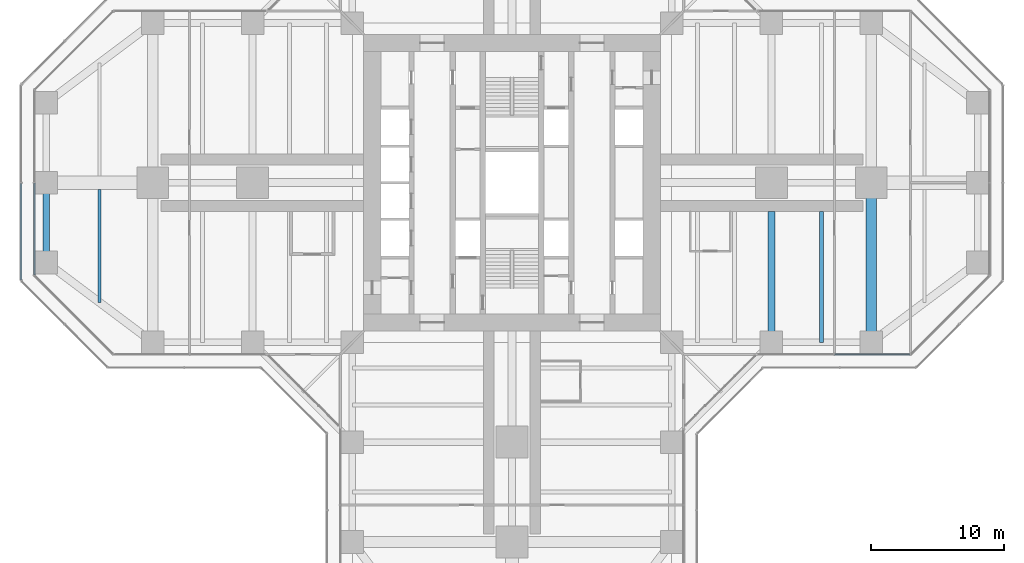
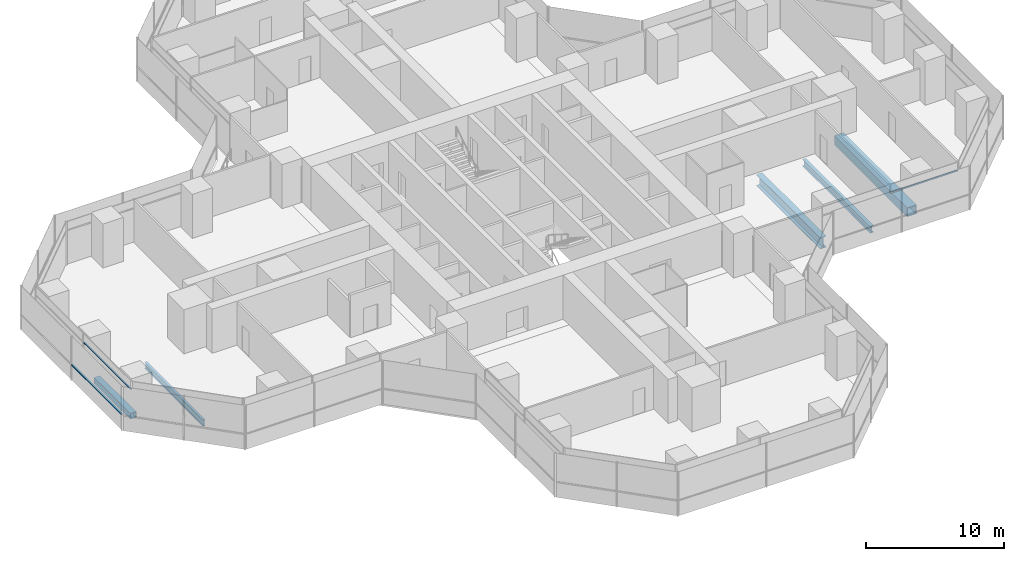
# One storey, part 7 of 22: 5 beams, 3 members, 3 elements without a shape of their own.
"""IFC4 building model written with IfcOpenShell, lengths in metres."""

from ifc_helpers import new_model, si_unit, direction, frame, origin, origin_2d, place, context, subcontext, project, spatial, rectangle, hollow_rectangle, i_section, extrude, material, material_profile, profile_set, type_object, element, aggregate, save


model = new_model("IFC4")

# Units and contexts
model_context = context("Model", 3, precision=1e-05, world=origin(), true_north=direction((0.0, 1.0)))
body_context = subcontext(model_context, "Body", "Model", "MODEL_VIEW")
ifc_project = project(units=[si_unit("LENGTHUNIT", "METRE"), si_unit("AREAUNIT", "SQUARE_METRE"), si_unit("VOLUMEUNIT", "CUBIC_METRE"), si_unit("PLANEANGLEUNIT", "RADIAN"), si_unit("MASSUNIT", "GRAM", prefix="KILO")], contexts=[model_context])

# Site, building, storey
site_placement = place(None, origin())
site = spatial("IfcSite", under=ifc_project, at=site_placement, CompositionType="ELEMENT")
building_placement = place(site_placement, origin())
building = spatial("IfcBuilding", under=site, at=building_placement, Name="Mizan Broadcast Tower", CompositionType="ELEMENT")
storey_placement = place(building_placement, frame((0.0, 0.0, 105.89990234375)))
storey = spatial("IfcBuildingStorey", under=building, at=storey_placement, Name="L23", CompositionType="ELEMENT", Elevation=105.89990234375)

# Beams
ifc_material_1 = material(Name="Steel S355", Category="steel")
ifc_material_profile_1 = material_profile(ifc_material_1, hollow_rectangle(XDim=0.5, YDim=0.5, WallThickness=0.030029296875, at=origin_2d()), Name="BOX 500x500x30")
ifc_profile_set_1 = profile_set([ifc_material_profile_1], Name="Steel S355")
beam_type_1 = type_object("IfcBeamType", Name="EDGE BEAM BOX 500x500x30", PredefinedType="SPANDREL", material=ifc_profile_set_1)
beam_1_placement = place(storey_placement, frame((-35.0, -5.639892578125, -0.3798828125), z_axis=(0.0, 1.0, 0.0), x_axis=(-1.0, 0.0, 0.0)))
element("IfcBeam", 1, at=beam_1_placement, inside=storey, type_object=beam_type_1, Name="Edge beam BOX 500x500x30 L23 west arm", PredefinedType="SPANDREL", context=body_context, shape_type="SweptSolid", body=[
    extrude(hollow_rectangle(XDim=0.5, YDim=0.5, WallThickness=0.030029296875, at=origin_2d()), origin(), (0.0, 0.0, 1.0), 5.27978515625),
])
ifc_material_2 = material(Name="Steel S460", Category="steel")
ifc_material_profile_2 = material_profile(ifc_material_2, hollow_rectangle(XDim=0.800048828125, YDim=0.800048828125, WallThickness=0.050048828125, at=origin_2d()), Name="BOX 800x800x50")
ifc_profile_set_2 = profile_set([ifc_material_profile_2], Name="Steel S460")
beam_type_2 = type_object("IfcBeamType", Name="GIRDER BOX 800x800x50", PredefinedType="BEAM", material=ifc_profile_set_2)
beam_2_placement = place(storey_placement, frame((27.0, -11.280029296875, -0.52978515625), z_axis=(0.0, 1.0, 0.0), x_axis=(-1.0, 0.0, 0.0)))
element("IfcBeam", 2, at=beam_2_placement, inside=storey, type_object=beam_type_2, Name="Girder BOX 800x800x50 L23 east arm", PredefinedType="BEAM", context=body_context, shape_type="SweptSolid", body=[
    extrude(hollow_rectangle(XDim=0.800048828125, YDim=0.800048828125, WallThickness=0.050048828125, at=origin_2d()), origin(), (0.0, 0.0, 1.0), 10.56005859375),
])
ifc_material_3 = material(Name="Steel S460", Category="steel")
ifc_material_profile_3 = material_profile(ifc_material_3, i_section(OverallWidth=0.5, OverallDepth=1.0, WebThickness=0.02490234375, FlangeThickness=0.050048828125, at=origin_2d()), Name="WPG 1000x500")
ifc_profile_set_3 = profile_set([ifc_material_profile_3], Name="Steel S460")
beam_type_3 = type_object("IfcBeamType", Name="GIRDER WPG 1000x500", PredefinedType="BEAM", material=ifc_profile_set_3)
beam_3_placement = place(storey_placement, frame((19.5, -11.408935546875, -0.6298828125), z_axis=(0.0, 1.0, 0.0), x_axis=(-1.0, 0.0, 0.0)))
element("IfcBeam", 3, at=beam_3_placement, inside=storey, type_object=beam_type_3, Name="Girder WPG 1000x500 L23 east arm", PredefinedType="BEAM", context=body_context, shape_type="SweptSolid", body=[
    extrude(i_section(OverallWidth=0.5, OverallDepth=1.0, WebThickness=0.02490234375, FlangeThickness=0.050048828125, at=origin_2d()), origin(), (0.0, 0.0, 1.0), 9.259033203125),
])

# Curtain wall, member
ifc_material_4 = material(Name="Aluminium framed glazing", Category="aluminium")
curtain_wall_type_1 = type_object("IfcCurtainWallType", Name="INNER SKIN LOW ZONE", PredefinedType="USERDEFINED", material=ifc_material_4)
curtain_wall_1_placement = place(storey_placement, origin())
curtain_wall_1 = element("IfcCurtainWall", 4, at=curtain_wall_1_placement, inside=storey, type_object=curtain_wall_type_1, Name="Inner skin low zone L23 E side", ObjectType="INNER SKIN LOW ZONE", PredefinedType="USERDEFINED")
ifc_material_5 = material(Name="Aluminium, pale anodised", Category="aluminium")
ifc_material_profile_4 = material_profile(ifc_material_5, rectangle(XDim=0.1201171875, YDim=0.06005859375, at=origin_2d()), Name="TRANSOM 120x60")
ifc_profile_set_4 = profile_set([ifc_material_profile_4], Name="Aluminium, pale anodised")
member_type_1 = type_object("IfcMemberType", Name="INNER SKIN TRANSOM 60x120", PredefinedType="USERDEFINED", material=ifc_profile_set_4)
member_1_placement = place(storey_placement, frame((24.25927734375, -12.89990234375, 3.030029296875), z_axis=(1.0, 0.0, 0.0), x_axis=(0.0, 1.0, 0.0)))
member_1 = element("IfcMember", 5, at=member_1_placement, type_object=member_type_1, Name="Inner skin low zone L23 E side transom 2.1", ObjectType="TRANSOM", PredefinedType="USERDEFINED", context=body_context, shape_type="SweptSolid", body=[
    extrude(rectangle(XDim=0.1201171875, YDim=0.06005859375, at=origin_2d()), origin(), (0.0, 0.0, 1.0), 5.639404296875),
])
aggregate(curtain_wall_1, [member_1])

curtain_wall_2_placement = place(storey_placement, origin())
curtain_wall_2 = element("IfcCurtainWall", 6, at=curtain_wall_2_placement, inside=storey, type_object=curtain_wall_type_1, Name="Inner skin low zone L23 W end", ObjectType="INNER SKIN LOW ZONE", PredefinedType="USERDEFINED")
member_2_placement = place(storey_placement, frame((-35.89990234375, -0.030029296875, 3.030029296875), z_axis=(0.0, -1.0, 0.0), x_axis=(1.0, 0.0, 0.0)))
member_2 = element("IfcMember", 7, at=member_2_placement, type_object=member_type_1, Name="Inner skin low zone L23 W end transom 2.1", ObjectType="TRANSOM", PredefinedType="USERDEFINED", context=body_context, shape_type="SweptSolid", body=[
    extrude(rectangle(XDim=0.1201171875, YDim=0.06005859375, at=origin_2d()), origin(), (0.0, 0.0, 1.0), 6.86865234375),
])
aggregate(curtain_wall_2, [member_2])

ifc_material_6 = material(Name="Aluminium framed glazing", Category="aluminium")
curtain_wall_type_2 = type_object("IfcCurtainWallType", Name="OUTER SKIN", PredefinedType="USERDEFINED", material=ifc_material_6)
curtain_wall_3_placement = place(storey_placement, origin())
curtain_wall_3 = element("IfcCurtainWall", 8, at=curtain_wall_3_placement, inside=storey, type_object=curtain_wall_type_2, Name="Outer skin L23 W end", ObjectType="OUTER SKIN", PredefinedType="USERDEFINED")
ifc_material_7 = material(Name="Aluminium, pale anodised", Category="aluminium")
ifc_material_profile_5 = material_profile(ifc_material_7, rectangle(XDim=0.159912109375, YDim=0.06005859375, at=origin_2d()), Name="TRANSOM 160x60")
ifc_profile_set_5 = profile_set([ifc_material_profile_5], Name="Aluminium, pale anodised")
member_type_2 = type_object("IfcMemberType", Name="OUTER SKIN TRANSOM 60x160", PredefinedType="USERDEFINED", material=ifc_profile_set_5)
member_3_placement = place(storey_placement, frame((-36.89990234375, -0.0400390625, 1.400146484375), z_axis=(0.0, -1.0, 0.0), x_axis=(1.0, 0.0, 0.0)))
member_3 = element("IfcMember", 9, at=member_3_placement, type_object=member_type_2, Name="Outer skin L23 W end transom 2.1", ObjectType="TRANSOM", PredefinedType="USERDEFINED", context=body_context, shape_type="SweptSolid", body=[
    extrude(rectangle(XDim=0.159912109375, YDim=0.06005859375, at=origin_2d()), origin(), (0.0, 0.0, 1.0), 7.252685546875),
])
aggregate(curtain_wall_3, [member_3])

# Beams
ifc_material_8 = material(Name="Steel S355", Category="steel")
ifc_material_profile_6 = material_profile(ifc_material_8, i_section(OverallWidth=0.300048828125, OverallDepth=0.590087890625, WebThickness=0.012939453125, FlangeThickness=0.02490234375, FilletRadius=0.027099609375, at=origin_2d()), Name="HEA 600")
ifc_profile_set_6 = profile_set([ifc_material_profile_6], Name="Steel S355")
beam_type_4 = type_object("IfcBeamType", Name="SECONDARY BEAM HEA 600", PredefinedType="JOIST", material=ifc_profile_set_6)
beam_4_placement = place(storey_placement, frame((23.25, -12.0, -0.4248046875), z_axis=(0.0, 1.0, 0.0), x_axis=(-1.0, 0.0, 0.0)))
element("IfcBeam", 10, at=beam_4_placement, inside=storey, type_object=beam_type_4, Name="Secondary beam HEA 600 L23 east arm", PredefinedType="JOIST", context=body_context, shape_type="SweptSolid", body=[
    extrude(i_section(OverallWidth=0.300048828125, OverallDepth=0.590087890625, WebThickness=0.012939453125, FlangeThickness=0.02490234375, FilletRadius=0.027099609375, at=origin_2d()), origin(), (0.0, 0.0, 1.0), 9.85009765625),
])
ifc_material_9 = material(Name="Steel S355", Category="steel")
ifc_material_profile_7 = material_profile(ifc_material_9, i_section(OverallWidth=0.2099609375, OverallDepth=0.550048828125, WebThickness=0.010986328125, FlangeThickness=0.01708984375, FilletRadius=0.02392578125, at=origin_2d()), Name="IPE 550")
ifc_profile_set_7 = profile_set([ifc_material_profile_7], Name="Steel S355")
beam_type_5 = type_object("IfcBeamType", Name="SECONDARY BEAM IPE 550", PredefinedType="JOIST", material=ifc_profile_set_7)
beam_5_placement = place(storey_placement, frame((-31.0, -9.0, -0.40478515625), z_axis=(0.0, 1.0, 0.0), x_axis=(-1.0, 0.0, 0.0)))
element("IfcBeam", 11, at=beam_5_placement, inside=storey, type_object=beam_type_5, Name="Secondary beam IPE 550 L23 west arm", PredefinedType="JOIST", context=body_context, shape_type="SweptSolid", body=[
    extrude(i_section(OverallWidth=0.2099609375, OverallDepth=0.550048828125, WebThickness=0.010986328125, FlangeThickness=0.01708984375, FilletRadius=0.02392578125, at=origin_2d()), origin(), (0.0, 0.0, 1.0), 8.5),
])

save(model, "model.ifc")
